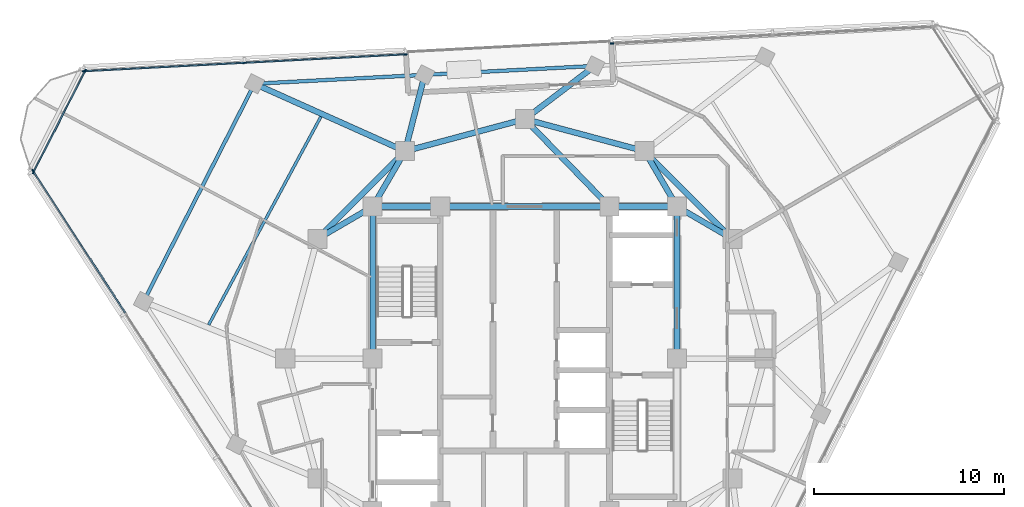
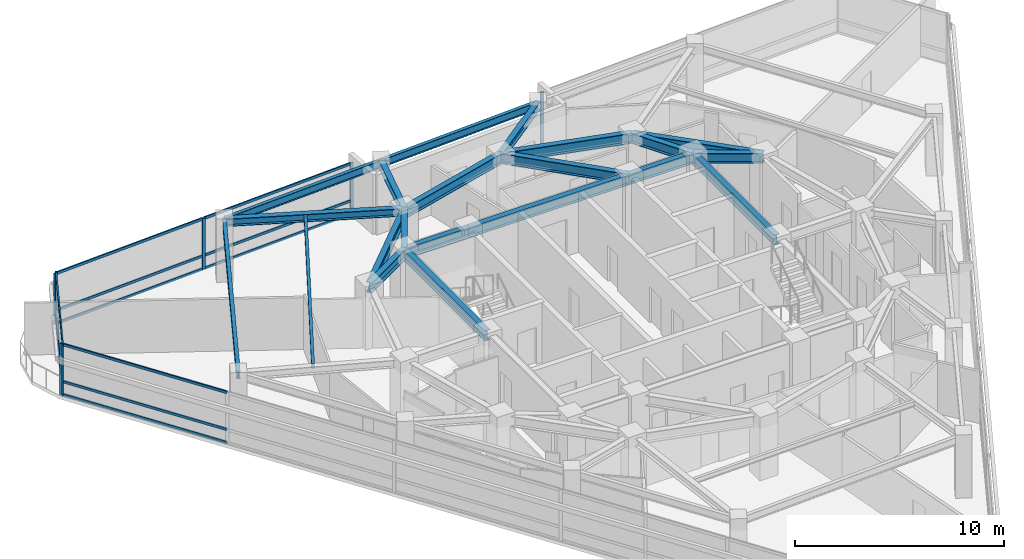
# One storey, part 5 of 15: 21 beams, 19 members, 4 elements without a shape of their own.
"""IFC4 building model written with IfcOpenShell, lengths in metres."""

from ifc_helpers import new_model, si_unit, direction, frame, origin, origin_2d, place, context, subcontext, project, spatial, rectangle, i_section, extrude, material, layer, layer_set, material_profile, profile_set, type_object, element, aggregate, save


model = new_model("IFC4")

# Units and contexts
model_context = context("Model", 3, precision=1e-05, world=origin(), true_north=direction((0.0, 1.0)))
body_context = subcontext(model_context, "Body", "Model", "MODEL_VIEW")
ifc_project = project(units=[si_unit("LENGTHUNIT", "METRE"), si_unit("AREAUNIT", "SQUARE_METRE"), si_unit("VOLUMEUNIT", "CUBIC_METRE"), si_unit("PLANEANGLEUNIT", "RADIAN"), si_unit("MASSUNIT", "GRAM", prefix="KILO")], contexts=[model_context])

# Site, building, storey
site_placement = place(None, origin())
site = spatial("IfcSite", under=ifc_project, at=site_placement, CompositionType="ELEMENT")
building_placement = place(site_placement, origin())
building = spatial("IfcBuilding", under=site, at=building_placement, Name="Terralouvre Media Tower", CompositionType="ELEMENT")
storey_placement = place(building_placement, frame((0.0, 0.0, 270.699951171875)))
storey = spatial("IfcBuildingStorey", under=building, at=storey_placement, Name="L70", CompositionType="ELEMENT", Elevation=270.699951171875)

# Beam
ifc_material_1 = material(Name="Structural steel S355J2", Category="steel")
ifc_material_profile_1 = material_profile(ifc_material_1, i_section(OverallWidth=0.14990234375, OverallDepth=0.300048828125, WebThickness=0.007080078125, FlangeThickness=0.0107421875, at=origin_2d()), Name="IPE 300")
ifc_profile_set_1 = profile_set([ifc_material_profile_1], Name="Structural steel S355J2")
beam_type_1 = type_object("IfcBeamType", Name="Composite Floor Joist J-IPE300 (IPE 300)", PredefinedType="JOIST", material=ifc_profile_set_1)
beam_1_placement = place(storey_placement, frame((-10.72509765625, 12.73046875, 3.35009765625), z_axis=(-0.47463118451, -0.880184775312, 0.0), x_axis=(0.880184775312, -0.47463118451, 0.0)))
element("IfcBeam", 1, at=beam_1_placement, inside=storey, type_object=beam_type_1, Name="L70 Framing Beam JT-L70-05", PredefinedType="JOIST", context=body_context, shape_type="SweptSolid", body=[
    extrude(i_section(OverallWidth=0.14990234375, OverallDepth=0.300048828125, WebThickness=0.007080078125, FlangeThickness=0.0107421875, at=origin_2d()), origin(), (0.0, 0.0, 1.0), 12.437255859375),
])

# Curtain wall, members
ifc_material_2 = material(Name="Low-iron laminated double glazing with solar-control coating", Category="glass")
ifc_layer_1 = layer(ifc_material_2, 0.1650390625, Name="Upper Executive Tower Curtain Wall CW-05")
ifc_layer_set_1 = layer_set([ifc_layer_1], Name="Low-iron laminated double glazing with solar-control coating")
curtain_wall_type_1 = type_object("IfcCurtainWallType", Name="Upper Executive Tower Curtain Wall CW-05", PredefinedType="NOTDEFINED", material=ifc_layer_set_1)
curtain_wall_1_placement = place(storey_placement, origin())
curtain_wall_1 = element("IfcCurtainWall", 2, at=curtain_wall_1_placement, inside=storey, type_object=curtain_wall_type_1, Name="L70 Right Flank Curtain Wall F1", PredefinedType="NOTDEFINED")
ifc_material_3 = material(Name="Anodised extruded aluminium 6063-T6", Category="aluminium")
ifc_material_profile_2 = material_profile(ifc_material_3, rectangle(XDim=0.074951171875, YDim=0.14990234375, at=origin_2d()), Name="ALU 75x150")
ifc_profile_set_2 = profile_set([ifc_material_profile_2], Name="Anodised extruded aluminium 6063-T6")
member_type_1 = type_object("IfcMemberType", Name="Curtain-Wall Horizontal Transom TR-150", PredefinedType="USERDEFINED", material=ifc_profile_set_2)
member_1_placement = place(storey_placement, frame((-6.3212890625, 16.003662109375, 0.03759765625), z_axis=(-0.998629544022, -0.052335779414, 0.0), x_axis=(0.052335779414, -0.998629544022, 0.0)))
member_1 = element("IfcMember", 3, at=member_1_placement, type_object=member_type_1, Name="CW-05 transom 1.1", ObjectType="TRANSOM", PredefinedType="USERDEFINED", context=body_context, shape_type="SweptSolid", body=[
    extrude(rectangle(XDim=0.074951171875, YDim=0.14990234375, at=origin_2d()), origin(), (0.0, 0.0, 1.0), 8.387451171875),
])
member_2_placement = place(storey_placement, frame((-6.3212890625, 16.003662109375, 0.800048828125), z_axis=(-0.998629544022, -0.052335779414, 0.0), x_axis=(0.052335779414, -0.998629544022, 0.0)))
member_2 = element("IfcMember", 4, at=member_2_placement, type_object=member_type_1, Name="CW-05 transom 1.2", ObjectType="TRANSOM", PredefinedType="USERDEFINED", context=body_context, shape_type="SweptSolid", body=[
    extrude(rectangle(XDim=0.074951171875, YDim=0.14990234375, at=origin_2d()), origin(), (0.0, 0.0, 1.0), 8.387451171875),
])
member_3_placement = place(storey_placement, frame((-6.3212890625, 16.003662109375, 2.962646484375), z_axis=(-0.998629544022, -0.052335779414, 0.0), x_axis=(0.052335779414, -0.998629544022, 0.0)))
member_3 = element("IfcMember", 5, at=member_3_placement, type_object=member_type_1, Name="CW-05 transom 1.3", ObjectType="TRANSOM", PredefinedType="USERDEFINED", context=body_context, shape_type="SweptSolid", body=[
    extrude(rectangle(XDim=0.074951171875, YDim=0.14990234375, at=origin_2d()), origin(), (0.0, 0.0, 1.0), 8.387451171875),
])
member_4_placement = place(storey_placement, frame((-14.772216796875, 15.560791015625, 0.03759765625), z_axis=(-0.998629544022, -0.052335779414, 0.0), x_axis=(0.052335779414, -0.998629544022, 0.0)))
member_4 = element("IfcMember", 6, at=member_4_placement, type_object=member_type_1, Name="CW-05 transom 2.1", ObjectType="TRANSOM", PredefinedType="USERDEFINED", context=body_context, shape_type="SweptSolid", body=[
    extrude(rectangle(XDim=0.074951171875, YDim=0.14990234375, at=origin_2d()), origin(), (0.0, 0.0, 1.0), 8.387451171875),
])
member_5_placement = place(storey_placement, frame((-14.772216796875, 15.560791015625, 0.800048828125), z_axis=(-0.998629544022, -0.052335779414, 0.0), x_axis=(0.052335779414, -0.998629544022, 0.0)))
member_5 = element("IfcMember", 7, at=member_5_placement, type_object=member_type_1, Name="CW-05 transom 2.2", ObjectType="TRANSOM", PredefinedType="USERDEFINED", context=body_context, shape_type="SweptSolid", body=[
    extrude(rectangle(XDim=0.074951171875, YDim=0.14990234375, at=origin_2d()), origin(), (0.0, 0.0, 1.0), 8.387451171875),
])
member_6_placement = place(storey_placement, frame((-14.772216796875, 15.560791015625, 2.962646484375), z_axis=(-0.998629544022, -0.052335779414, 0.0), x_axis=(0.052335779414, -0.998629544022, 0.0)))
member_6 = element("IfcMember", 8, at=member_6_placement, type_object=member_type_1, Name="CW-05 transom 2.3", ObjectType="TRANSOM", PredefinedType="USERDEFINED", context=body_context, shape_type="SweptSolid", body=[
    extrude(rectangle(XDim=0.074951171875, YDim=0.14990234375, at=origin_2d()), origin(), (0.0, 0.0, 1.0), 8.387451171875),
])

curtain_wall_2_placement = place(storey_placement, origin())
curtain_wall_2 = element("IfcCurtainWall", 9, at=curtain_wall_2_placement, inside=storey, type_object=curtain_wall_type_1, Name="L70 Facade Curtain Wall F2", PredefinedType="NOTDEFINED")
member_7_placement = place(storey_placement, frame((-25.840087890625, 9.8388671875, 0.03759765625), z_axis=(0.5446498072, -0.838663572308, 0.0), x_axis=(0.838663572308, 0.5446498072, 0.0)))
member_7 = element("IfcMember", 10, at=member_7_placement, type_object=member_type_1, Name="CW-05 transom 1.1", ObjectType="TRANSOM", PredefinedType="USERDEFINED", context=body_context, shape_type="SweptSolid", body=[
    extrude(rectangle(XDim=0.074951171875, YDim=0.14990234375, at=origin_2d()), origin(), (0.0, 0.0, 1.0), 8.84765625),
])
member_8_placement = place(storey_placement, frame((-25.840087890625, 9.8388671875, 0.800048828125), z_axis=(0.5446498072, -0.838663572308, 0.0), x_axis=(0.838663572308, 0.5446498072, 0.0)))
member_8 = element("IfcMember", 11, at=member_8_placement, type_object=member_type_1, Name="CW-05 transom 1.2", ObjectType="TRANSOM", PredefinedType="USERDEFINED", context=body_context, shape_type="SweptSolid", body=[
    extrude(rectangle(XDim=0.074951171875, YDim=0.14990234375, at=origin_2d()), origin(), (0.0, 0.0, 1.0), 8.84765625),
])
member_9_placement = place(storey_placement, frame((-25.840087890625, 9.8388671875, 2.962646484375), z_axis=(0.5446498072, -0.838663572308, 0.0), x_axis=(0.838663572308, 0.5446498072, 0.0)))
member_9 = element("IfcMember", 12, at=member_9_placement, type_object=member_type_1, Name="CW-05 transom 1.3", ObjectType="TRANSOM", PredefinedType="USERDEFINED", context=body_context, shape_type="SweptSolid", body=[
    extrude(rectangle(XDim=0.074951171875, YDim=0.14990234375, at=origin_2d()), origin(), (0.0, 0.0, 1.0), 8.84765625),
])

ifc_material_4 = material(Name="Low-iron laminated double glazing with solar-control coating", Category="glass")
ifc_layer_2 = layer(ifc_material_4, 0.1650390625, Name="Rounded Wind-Corner Curved Glazing CW-04")
ifc_layer_set_2 = layer_set([ifc_layer_2], Name="Low-iron laminated double glazing with solar-control coating")
curtain_wall_type_2 = type_object("IfcCurtainWallType", Name="Rounded Wind-Corner Curved Glazing CW-04", PredefinedType="NOTDEFINED", material=ifc_layer_set_2)
curtain_wall_3_placement = place(storey_placement, origin())
curtain_wall_3 = element("IfcCurtainWall", 13, at=curtain_wall_3_placement, inside=storey, type_object=curtain_wall_type_2, Name="L70 Rounded Wind-Corner Curtain Wall C2", PredefinedType="NOTDEFINED")
member_10_placement = place(storey_placement, frame((-23.138671875, 15.107421875, 0.03759765625), z_axis=(-0.453989495794, -0.891007035724, 0.0), x_axis=(0.891007035724, -0.453989495794, 0.0)))
member_10 = element("IfcMember", 14, at=member_10_placement, type_object=member_type_1, Name="CW-04 transom 1.1", ObjectType="TRANSOM", PredefinedType="USERDEFINED", context=body_context, shape_type="SweptSolid", body=[
    extrude(rectangle(XDim=0.074951171875, YDim=0.14990234375, at=origin_2d()), origin(), (0.0, 0.0, 1.0), 5.912109375),
])
member_11_placement = place(storey_placement, frame((-23.138671875, 15.107421875, 0.800048828125), z_axis=(-0.453989495794, -0.891007035724, 0.0), x_axis=(0.891007035724, -0.453989495794, 0.0)))
member_11 = element("IfcMember", 15, at=member_11_placement, type_object=member_type_1, Name="CW-04 transom 1.2", ObjectType="TRANSOM", PredefinedType="USERDEFINED", context=body_context, shape_type="SweptSolid", body=[
    extrude(rectangle(XDim=0.074951171875, YDim=0.14990234375, at=origin_2d()), origin(), (0.0, 0.0, 1.0), 5.912109375),
])
member_12_placement = place(storey_placement, frame((-23.138671875, 15.107421875, 2.962646484375), z_axis=(-0.453989495794, -0.891007035724, 0.0), x_axis=(0.891007035724, -0.453989495794, 0.0)))
member_12 = element("IfcMember", 16, at=member_12_placement, type_object=member_type_1, Name="CW-04 transom 1.3", ObjectType="TRANSOM", PredefinedType="USERDEFINED", context=body_context, shape_type="SweptSolid", body=[
    extrude(rectangle(XDim=0.074951171875, YDim=0.14990234375, at=origin_2d()), origin(), (0.0, 0.0, 1.0), 5.912109375),
])

# Curtain wall, member
curtain_wall_4_placement = place(storey_placement, origin())
curtain_wall_4 = element("IfcCurtainWall", 17, at=curtain_wall_4_placement, inside=storey, type_object=curtain_wall_type_1, Name="L70 Left Flank Curtain Wall F1", PredefinedType="NOTDEFINED")
ifc_material_5 = material(Name="Anodised extruded aluminium 6063-T6", Category="aluminium")
ifc_material_profile_3 = material_profile(ifc_material_5, rectangle(XDim=0.074951171875, YDim=0.179931640625, at=origin_2d()), Name="ALU 75x180")
ifc_profile_set_3 = profile_set([ifc_material_profile_3], Name="Anodised extruded aluminium 6063-T6")
member_type_2 = type_object("IfcMemberType", Name="Curtain-Wall Vertical Mullion ML-180", PredefinedType="MULLION", material=ifc_profile_set_3)
member_13_placement = place(storey_placement, frame((4.576416015625, 16.574951171875, 0.0), z_axis=(0.0, 0.0, 1.0), x_axis=(0.052336444858, -0.998629509147, 0.0)))
member_13 = element("IfcMember", 18, at=member_13_placement, type_object=member_type_2, Name="CW-05 mullion 3", PredefinedType="MULLION", context=body_context, shape_type="SweptSolid", body=[
    extrude(rectangle(XDim=0.074951171875, YDim=0.179931640625, at=origin_2d()), origin(), (0.0, 0.0, 1.0), 3.0),
])
aggregate(curtain_wall_4, [member_13])

# Member
member_14_placement = place(storey_placement, frame((-6.28369140625, 16.005615234375, 0.0), z_axis=(0.0, 0.0, 1.0), x_axis=(0.052335919728, -0.998629536668, 0.0)))
member_14 = element("IfcMember", 19, at=member_14_placement, type_object=member_type_2, Name="CW-05 mullion 1", PredefinedType="MULLION", context=body_context, shape_type="SweptSolid", body=[
    extrude(rectangle(XDim=0.074951171875, YDim=0.179931640625, at=origin_2d()), origin(), (0.0, 0.0, 1.0), 3.0),
])

member_15_placement = place(storey_placement, frame((-14.734619140625, 15.562744140625, 0.0), z_axis=(0.0, 0.0, 1.0), x_axis=(0.052335919728, -0.998629536668, 0.0)))
member_15 = element("IfcMember", 20, at=member_15_placement, type_object=member_type_2, Name="CW-05 mullion 2", PredefinedType="MULLION", context=body_context, shape_type="SweptSolid", body=[
    extrude(rectangle(XDim=0.074951171875, YDim=0.179931640625, at=origin_2d()), origin(), (0.0, 0.0, 1.0), 3.0),
])

member_16_placement = place(storey_placement, frame((-23.185546875, 15.119873046875, 0.0), z_axis=(0.0, 0.0, 1.0), x_axis=(0.052335919728, -0.998629536668, 0.0)))
member_16 = element("IfcMember", 21, at=member_16_placement, type_object=member_type_2, Name="CW-05 mullion 3", PredefinedType="MULLION", context=body_context, shape_type="SweptSolid", body=[
    extrude(rectangle(XDim=0.074951171875, YDim=0.179931640625, at=origin_2d()), origin(), (0.0, 0.0, 1.0), 3.0),
])

aggregate(curtain_wall_1, [member_14, member_15, member_16, member_1, member_2, member_3, member_4, member_5, member_6])

member_17_placement = place(storey_placement, frame((-25.8603515625, 9.870361328125, 0.0), z_axis=(0.0, 0.0, 1.0), x_axis=(0.838670545826, 0.544639069077, 0.0)))
member_17 = element("IfcMember", 22, at=member_17_placement, type_object=member_type_2, Name="CW-05 mullion 1", PredefinedType="MULLION", context=body_context, shape_type="SweptSolid", body=[
    extrude(rectangle(XDim=0.074951171875, YDim=0.179931640625, at=origin_2d()), origin(), (0.0, 0.0, 1.0), 3.0),
])

aggregate(curtain_wall_2, [member_17, member_7, member_8, member_9])

member_18_placement = place(storey_placement, frame((-23.12158203125, 15.140869140625, 0.0), z_axis=(0.0, 0.0, 1.0), x_axis=(0.891006600517, -0.453990349937, 0.0)))
member_18 = element("IfcMember", 23, at=member_18_placement, type_object=member_type_2, Name="CW-04 mullion 1", PredefinedType="MULLION", context=body_context, shape_type="SweptSolid", body=[
    extrude(rectangle(XDim=0.074951171875, YDim=0.179931640625, at=origin_2d()), origin(), (0.0, 0.0, 1.0), 3.0),
])

member_19_placement = place(storey_placement, frame((-25.83984375, 9.80615234375, 0.0), z_axis=(0.0, 0.0, 1.0), x_axis=(0.891006600517, -0.453990349937, 0.0)))
member_19 = element("IfcMember", 24, at=member_19_placement, type_object=member_type_2, Name="CW-04 mullion 2", PredefinedType="MULLION", context=body_context, shape_type="SweptSolid", body=[
    extrude(rectangle(XDim=0.074951171875, YDim=0.179931640625, at=origin_2d()), origin(), (0.0, 0.0, 1.0), 3.0),
])

aggregate(curtain_wall_3, [member_18, member_19, member_10, member_11, member_12])

# Beams
ifc_material_6 = material(Name="Structural steel S355J2", Category="steel")
ifc_material_profile_4 = material_profile(ifc_material_6, i_section(OverallWidth=0.18994140625, OverallDepth=0.449951171875, WebThickness=0.009521484375, FlangeThickness=0.0146484375, at=origin_2d()), Name="IPE 450")
ifc_profile_set_4 = profile_set([ifc_material_profile_4], Name="Structural steel S355J2")
beam_type_2 = type_object("IfcBeamType", Name="Perimeter Spandrel Beam SPB-450 (IPE 450)", PredefinedType="SPANDREL", material=ifc_profile_set_4)
for number, where, z_axis, x_axis, name in (
    (25, (3.67919921875, 15.396240234375, 3.275146484375), (-0.998630595649, -0.05231570924, 0.0), (0.05231570924, -0.998630595649, 0.0), "L70 Framing Beam BM-L70-PR09"),
    (26, (-5.2685546875, 14.927490234375, 3.275146484375), (-0.998629171747, -0.052342882372, 0.0), (0.052342882372, -0.998629171747, 0.0), "L70 Framing Beam BM-L70-PR10"),
):
    element("IfcBeam", number, at=place(storey_placement, frame(where, z_axis=z_axis, x_axis=x_axis)), inside=storey, type_object=beam_type_2, Name=name, PredefinedType="SPANDREL", context=body_context, shape_type="SweptSolid", body=[
        extrude(i_section(OverallWidth=0.18994140625, OverallDepth=0.449951171875, WebThickness=0.009521484375, FlangeThickness=0.0146484375, at=origin_2d()), origin(), (0.0, 0.0, 1.0), 8.9599609375),
    ])
beam_2_placement = place(storey_placement, frame((-14.21630859375, 14.45849609375, 3.275146484375), z_axis=(-0.453983525005, -0.891010077958, 0.0), x_axis=(0.891010077958, -0.453983525005, 0.0)))
element("IfcBeam", 27, at=beam_2_placement, inside=storey, type_object=beam_type_2, Name="L70 Framing Beam BM-L70-PR11", PredefinedType="SPANDREL", context=body_context, shape_type="SweptSolid", body=[
    extrude(i_section(OverallWidth=0.18994140625, OverallDepth=0.449951171875, WebThickness=0.009521484375, FlangeThickness=0.0146484375, at=origin_2d()), origin(), (0.0, 0.0, 1.0), 12.857177734375),
])
ifc_material_7 = material(Name="Structural steel S355J2", Category="steel")
ifc_material_profile_5 = material_profile(ifc_material_7, i_section(OverallWidth=0.300048828125, OverallDepth=0.449951171875, WebThickness=0.013916015625, FlangeThickness=0.02587890625, at=origin_2d()), Name="HEB 450")
ifc_profile_set_5 = profile_set([ifc_material_profile_5], Name="Structural steel S355J2")
beam_type_3 = type_object("IfcBeamType", Name="Primary Floor Girder B-HEB450 (HEB 450)", PredefinedType="BEAM", material=ifc_profile_set_5)
beam_3_placement = place(storey_placement, frame((0.0, 12.60009765625, 3.275146484375), z_axis=(0.796167284329, 0.605076569836, 0.0), x_axis=(-0.605076569836, 0.796167284329, 0.0)))
element("IfcBeam", 28, at=beam_3_placement, inside=storey, type_object=beam_type_3, Name="L70 Framing Beam BM-L70-RD09", PredefinedType="BEAM", context=body_context, shape_type="SweptSolid", body=[
    extrude(i_section(OverallWidth=0.300048828125, OverallDepth=0.449951171875, WebThickness=0.013916015625, FlangeThickness=0.02587890625, at=origin_2d()), origin(), (0.0, 0.0, 1.0), 4.62109375),
])
beam_4_placement = place(storey_placement, frame((-6.300048828125, 10.911865234375, 3.275146484375), z_axis=(0.248793268672, 0.968556611388, 0.0), x_axis=(-0.968556611388, 0.248793268672, 0.0)))
element("IfcBeam", 29, at=beam_4_placement, inside=storey, type_object=beam_type_3, Name="L70 Framing Beam BM-L70-RD10", PredefinedType="BEAM", context=body_context, shape_type="SweptSolid", body=[
    extrude(i_section(OverallWidth=0.300048828125, OverallDepth=0.449951171875, WebThickness=0.013916015625, FlangeThickness=0.02587890625, at=origin_2d()), origin(), (0.0, 0.0, 1.0), 4.14599609375),
])
beam_5_placement = place(storey_placement, frame((-6.300048828125, 10.911865234375, 3.275146484375), z_axis=(-0.912596970607, 0.408860329746, 0.0), x_axis=(-0.408860329746, -0.912596970607, 0.0)))
element("IfcBeam", 30, at=beam_5_placement, inside=storey, type_object=beam_type_3, Name="L70 Framing Beam BM-L70-RD11", PredefinedType="BEAM", context=body_context, shape_type="SweptSolid", body=[
    extrude(i_section(OverallWidth=0.300048828125, OverallDepth=0.449951171875, WebThickness=0.013916015625, FlangeThickness=0.02587890625, at=origin_2d()), origin(), (0.0, 0.0, 1.0), 8.67431640625),
])
ifc_material_8 = material(Name="Structural steel S460M", Category="steel")
ifc_material_profile_6 = material_profile(ifc_material_8, i_section(OverallWidth=0.300048828125, OverallDepth=0.60009765625, WebThickness=0.015380859375, FlangeThickness=0.030029296875, at=origin_2d()), Name="HEB 600")
ifc_profile_set_6 = profile_set([ifc_material_profile_6], Name="Structural steel S460M")
beam_type_4 = type_object("IfcBeamType", Name="Primary Floor Girder B-HEB600 (HEB 600)", PredefinedType="BEAM", material=ifc_profile_set_6)
beam_6_placement = place(storey_placement, frame((8.0, 0.0, 3.199951171875), z_axis=(0.0, 1.0, 0.0), x_axis=(-1.0, 0.0, 0.0)))
element("IfcBeam", 31, at=beam_6_placement, inside=storey, type_object=beam_type_4, Name="L70 Framing Beam BM-L70-CPR05", PredefinedType="BEAM", context=body_context, shape_type="SweptSolid", body=[
    extrude(i_section(OverallWidth=0.300048828125, OverallDepth=0.60009765625, WebThickness=0.015380859375, FlangeThickness=0.030029296875, at=origin_2d()), origin(), (0.0, 0.0, 1.0), 8.0),
])
beam_7_placement = place(storey_placement, frame((8.0, 8.0, 3.199951171875), z_axis=(-1.0, 0.0, 0.0), x_axis=(0.0, -1.0, 0.0)))
element("IfcBeam", 32, at=beam_7_placement, inside=storey, type_object=beam_type_4, Name="L70 Framing Beam BM-L70-CPR06", PredefinedType="BEAM", context=body_context, shape_type="SweptSolid", body=[
    extrude(i_section(OverallWidth=0.300048828125, OverallDepth=0.60009765625, WebThickness=0.015380859375, FlangeThickness=0.030029296875, at=origin_2d()), origin(), (0.0, 0.0, 1.0), 3.550048828125),
])
beam_8_placement = place(storey_placement, frame((4.449951171875, 8.0, 3.199951171875), z_axis=(-1.0, 0.0, 0.0), x_axis=(0.0, -1.0, 0.0)))
element("IfcBeam", 33, at=beam_8_placement, inside=storey, type_object=beam_type_4, Name="L70 Framing Beam BM-L70-CPR07", PredefinedType="BEAM", context=body_context, shape_type="SweptSolid", body=[
    extrude(i_section(OverallWidth=0.300048828125, OverallDepth=0.60009765625, WebThickness=0.015380859375, FlangeThickness=0.030029296875, at=origin_2d()), origin(), (0.0, 0.0, 1.0), 8.89990234375),
])
beam_9_placement = place(storey_placement, frame((-4.449951171875, 8.0, 3.199951171875), z_axis=(-1.0, 0.0, 0.0), x_axis=(0.0, -1.0, 0.0)))
element("IfcBeam", 34, at=beam_9_placement, inside=storey, type_object=beam_type_4, Name="L70 Framing Beam BM-L70-CPR08", PredefinedType="BEAM", context=body_context, shape_type="SweptSolid", body=[
    extrude(i_section(OverallWidth=0.300048828125, OverallDepth=0.60009765625, WebThickness=0.015380859375, FlangeThickness=0.030029296875, at=origin_2d()), origin(), (0.0, 0.0, 1.0), 3.550048828125),
])
beam_10_placement = place(storey_placement, frame((-8.0, 8.0, 3.199951171875), z_axis=(0.0, -1.0, 0.0), x_axis=(1.0, 0.0, 0.0)))
element("IfcBeam", 35, at=beam_10_placement, inside=storey, type_object=beam_type_4, Name="L70 Framing Beam BM-L70-CPR09", PredefinedType="BEAM", context=body_context, shape_type="SweptSolid", body=[
    extrude(i_section(OverallWidth=0.300048828125, OverallDepth=0.60009765625, WebThickness=0.015380859375, FlangeThickness=0.030029296875, at=origin_2d()), origin(), (0.0, 0.0, 1.0), 8.0),
])
beam_11_placement = place(storey_placement, frame((10.911865234375, 6.300048828125, 3.199951171875), z_axis=(-0.707106781187, 0.707106781187, 0.0), x_axis=(-0.707106781187, -0.707106781187, 0.0)))
element("IfcBeam", 36, at=beam_11_placement, inside=storey, type_object=beam_type_4, Name="L70 Framing Beam BM-L70-MR07", PredefinedType="BEAM", context=body_context, shape_type="SweptSolid", body=[
    extrude(i_section(OverallWidth=0.300048828125, OverallDepth=0.60009765625, WebThickness=0.015380859375, FlangeThickness=0.030029296875, at=origin_2d()), origin(), (0.0, 0.0, 1.0), 6.52197265625),
])
for number, where, z_axis, x_axis, name in (
    (37, (6.300048828125, 10.911865234375, 3.199951171875), (-0.965920481897, 0.258838989821, 0.0), (-0.258838989821, -0.965920481897, 0.0), "L70 Framing Beam BM-L70-MR08"),
    (38, (0.0, 12.60009765625, 3.199951171875), (-0.965920481897, -0.258838989821, 0.0), (0.258838989821, -0.965920481897, 0.0), "L70 Framing Beam BM-L70-MR09"),
):
    element("IfcBeam", number, at=place(storey_placement, frame(where, z_axis=z_axis, x_axis=x_axis)), inside=storey, type_object=beam_type_4, Name=name, PredefinedType="BEAM", context=body_context, shape_type="SweptSolid", body=[
        extrude(i_section(OverallWidth=0.300048828125, OverallDepth=0.60009765625, WebThickness=0.015380859375, FlangeThickness=0.030029296875, at=origin_2d()), origin(), (0.0, 0.0, 1.0), 6.522216796875),
    ])
beam_12_placement = place(storey_placement, frame((-6.300048828125, 10.911865234375, 3.199951171875), z_axis=(-0.707106781187, -0.707106781187, 0.0), x_axis=(0.707106781187, -0.707106781187, 0.0)))
element("IfcBeam", 39, at=beam_12_placement, inside=storey, type_object=beam_type_4, Name="L70 Framing Beam BM-L70-MR10", PredefinedType="BEAM", context=body_context, shape_type="SweptSolid", body=[
    extrude(i_section(OverallWidth=0.300048828125, OverallDepth=0.60009765625, WebThickness=0.015380859375, FlangeThickness=0.030029296875, at=origin_2d()), origin(), (0.0, 0.0, 1.0), 6.52197265625),
])
for number, where, z_axis, x_axis, name in (
    (40, (8.0, 8.0, 3.199951171875), (0.863602894532, -0.504172629717, 0.0), (0.504172629717, 0.863602894532, 0.0), "L70 Framing Beam BM-L70-CM07"),
    (41, (8.0, 8.0, 3.199951171875), (-0.504172629717, 0.863602894532, 0.0), (-0.863602894532, -0.504172629717, 0.0), "L70 Framing Beam BM-L70-CM08"),
):
    element("IfcBeam", number, at=place(storey_placement, frame(where, z_axis=z_axis, x_axis=x_axis)), inside=storey, type_object=beam_type_4, Name=name, PredefinedType="BEAM", context=body_context, shape_type="SweptSolid", body=[
        extrude(i_section(OverallWidth=0.300048828125, OverallDepth=0.60009765625, WebThickness=0.015380859375, FlangeThickness=0.030029296875, at=origin_2d()), origin(), (0.0, 0.0, 1.0), 3.371826171875),
    ])
beam_13_placement = place(storey_placement, frame((4.449951171875, 8.0, 3.199951171875), z_axis=(-0.695279715726, 0.718739255155, 0.0), x_axis=(-0.718739255155, -0.695279715726, 0.0)))
element("IfcBeam", 42, at=beam_13_placement, inside=storey, type_object=beam_type_4, Name="L70 Framing Beam BM-L70-CM09", PredefinedType="BEAM", context=body_context, shape_type="SweptSolid", body=[
    extrude(i_section(OverallWidth=0.300048828125, OverallDepth=0.60009765625, WebThickness=0.015380859375, FlangeThickness=0.030029296875, at=origin_2d()), origin(), (0.0, 0.0, 1.0), 6.400146484375),
])
for number, where, z_axis, x_axis, name in (
    (43, (-8.0, 8.0, 3.199951171875), (0.504172629717, 0.863602894532, 0.0), (-0.863602894532, 0.504172629717, 0.0), "L70 Framing Beam BM-L70-CM10"),
    (44, (-8.0, 8.0, 3.199951171875), (-0.863602894532, -0.504172629717, 0.0), (0.504172629717, -0.863602894532, 0.0), "L70 Framing Beam BM-L70-CM11"),
):
    element("IfcBeam", number, at=place(storey_placement, frame(where, z_axis=z_axis, x_axis=x_axis)), inside=storey, type_object=beam_type_4, Name=name, PredefinedType="BEAM", context=body_context, shape_type="SweptSolid", body=[
        extrude(i_section(OverallWidth=0.300048828125, OverallDepth=0.60009765625, WebThickness=0.015380859375, FlangeThickness=0.030029296875, at=origin_2d()), origin(), (0.0, 0.0, 1.0), 3.371826171875),
    ])

save(model, "model.ifc")
